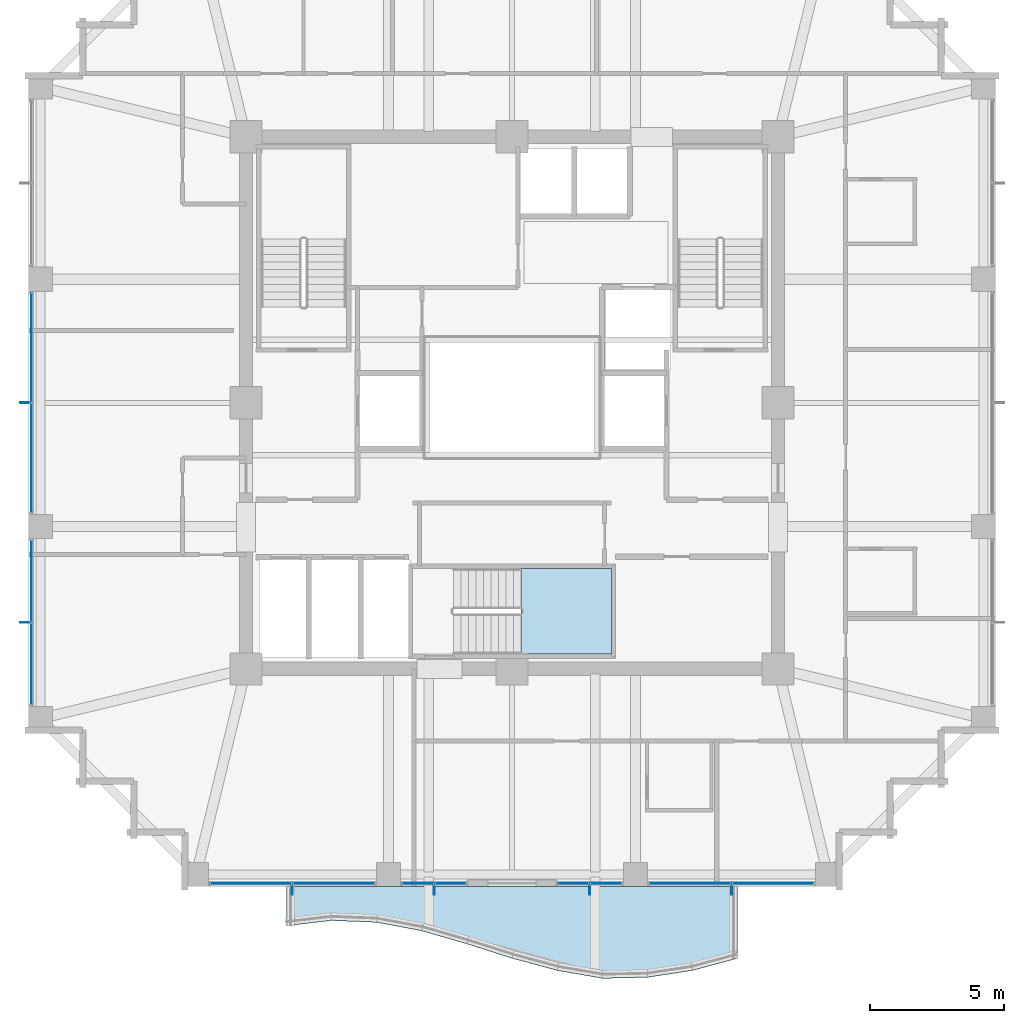
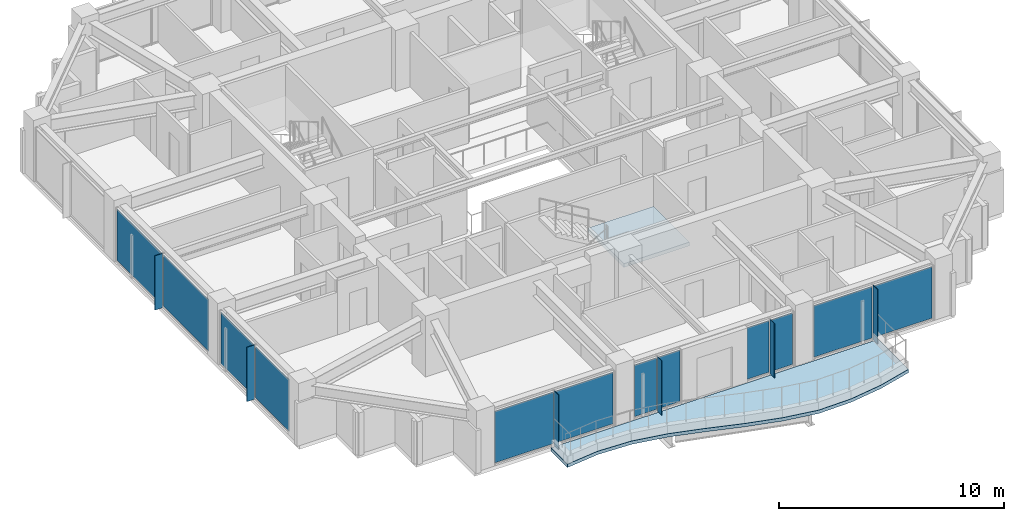
# One storey, part 22 of 31: 18 plates, 2 slabs, 7 elements without a shape of their own.
"""IFC4 building model written with IfcOpenShell, lengths in metres."""

from ifc_helpers import new_model, si_unit, direction, frame, origin, origin_2d, place, context, subcontext, project, spatial, polyline, rectangle, outline, extrude, material, layer, layer_set, type_object, element, aggregate, save


model = new_model("IFC4")

# Units and contexts
model_context = context("Model", 3, precision=1e-05, world=origin(), true_north=direction((0.0, 1.0)))
body_context = subcontext(model_context, "Body", "Model", "MODEL_VIEW")
ifc_project = project(units=[si_unit("LENGTHUNIT", "METRE"), si_unit("AREAUNIT", "SQUARE_METRE"), si_unit("VOLUMEUNIT", "CUBIC_METRE"), si_unit("PLANEANGLEUNIT", "RADIAN"), si_unit("MASSUNIT", "GRAM", prefix="KILO")], contexts=[model_context])

# Site, building, storey
site_placement = place(None, origin())
site = spatial("IfcSite", under=ifc_project, at=site_placement, CompositionType="ELEMENT")
building_placement = place(site_placement, origin())
building = spatial("IfcBuilding", under=site, at=building_placement, Name="Kolvaren Belvedere", CompositionType="ELEMENT")
storey_placement = place(building_placement, frame((0.0, 0.0, 144.800048828125)))
storey = spatial("IfcBuildingStorey", under=building, at=storey_placement, Name="L42", CompositionType="ELEMENT", Elevation=144.800048828125)

# Curtain wall, plates
ifc_material_1 = material(Name="Anodised pale-metal aluminium AA 6063-T6", Category="aluminium")
curtain_wall_type = type_object("IfcCurtainWallType", Name="CW-Z3-WAIST", PredefinedType="NOTDEFINED", material=ifc_material_1)
curtain_wall_1_placement = place(storey_placement, origin())
curtain_wall_1 = element("IfcCurtainWall", 1, at=curtain_wall_1_placement, inside=storey, type_object=curtain_wall_type, Name="L42 Unitised Curtain Wall FCW-L42-S1-B1", PredefinedType="NOTDEFINED")
ifc_material_2 = material(Name="Low-iron triple insulated glass", Category="glass")
ifc_layer_1 = layer(ifc_material_2, 0.028076171875)
ifc_layer_set_1 = layer_set([ifc_layer_1], Name="Low-iron triple insulated glass")
plate_type_1 = type_object("IfcPlateType", Name="CW-PNL-VIS28", PredefinedType="CURTAIN_PANEL", material=ifc_layer_set_1)
plate_1_placement = place(storey_placement, frame((9.711181640625, -17.8798828125, 0.079833984375), z_axis=(0.0, 0.0, 1.0), x_axis=(-1.0, 0.0, 0.0)))
plate_1 = element("IfcPlate", 2, at=plate_1_placement, type_object=plate_type_1, Name="FCW-L42-S1-B1 Vision Glazing Panel 1", PredefinedType="CURTAIN_PANEL", context=body_context, shape_type="SweptSolid", body=[
    extrude(rectangle(XDim=2.992431640625, YDim=0.028076171875, at=origin_2d()), origin(), (0.0, 0.0, 1.0), 2.7900390625),
])
plate_2_placement = place(storey_placement, frame((6.638671875, -17.8798828125, 0.079833984375), z_axis=(0.0, 0.0, 1.0), x_axis=(-1.0, 0.0, 0.0)))
plate_2 = element("IfcPlate", 3, at=plate_2_placement, type_object=plate_type_1, Name="FCW-L42-S1-B1 Vision Glazing Panel 2", PredefinedType="CURTAIN_PANEL", context=body_context, shape_type="SweptSolid", body=[
    extrude(rectangle(XDim=2.992431640625, YDim=0.028076171875, at=origin_2d()), origin(), (0.0, 0.0, 1.0), 2.7900390625),
])
aggregate(curtain_wall_1, [plate_1, plate_2])

curtain_wall_2_placement = place(storey_placement, origin())
curtain_wall_2 = element("IfcCurtainWall", 4, at=curtain_wall_2_placement, inside=storey, type_object=curtain_wall_type, Name="L42 Unitised Curtain Wall FCW-L42-S1-B2", PredefinedType="NOTDEFINED")
plate_3_placement = place(storey_placement, frame((3.4931640625, -17.8798828125, 0.079833984375), z_axis=(0.0, 0.0, 1.0), x_axis=(-1.0, 0.0, 0.0)))
plate_3 = element("IfcPlate", 5, at=plate_3_placement, type_object=plate_type_1, Name="FCW-L42-S1-B2 Vision Glazing Panel 1", PredefinedType="CURTAIN_PANEL", context=body_context, shape_type="SweptSolid", body=[
    extrude(rectangle(XDim=1.12890625, YDim=0.028076171875, at=origin_2d()), origin(), (0.0, 0.0, 1.0), 2.7900390625),
])
plate_4_placement = place(storey_placement, frame((2.284423828125, -17.8798828125, 0.079833984375), z_axis=(0.0, 0.0, 1.0), x_axis=(-1.0, 0.0, 0.0)))
plate_4 = element("IfcPlate", 6, at=plate_4_placement, type_object=plate_type_1, Name="FCW-L42-S1-B2 Vision Glazing Panel 2", PredefinedType="CURTAIN_PANEL", context=body_context, shape_type="SweptSolid", body=[
    extrude(rectangle(XDim=1.12890625, YDim=0.028076171875, at=origin_2d()), origin(), (0.0, 0.0, 1.0), 2.7900390625),
])
aggregate(curtain_wall_2, [plate_3, plate_4])

curtain_wall_3_placement = place(storey_placement, origin())
curtain_wall_3 = element("IfcCurtainWall", 7, at=curtain_wall_3_placement, inside=storey, type_object=curtain_wall_type, Name="L42 Unitised Curtain Wall FCW-L42-S2-B1", PredefinedType="NOTDEFINED")
plate_5_placement = place(storey_placement, frame((-2.284423828125, -17.8798828125, 0.079833984375), z_axis=(0.0, 0.0, 1.0), x_axis=(-1.0, 0.0, 0.0)))
plate_5 = element("IfcPlate", 8, at=plate_5_placement, type_object=plate_type_1, Name="FCW-L42-S2-B1 Vision Glazing Panel 1", PredefinedType="CURTAIN_PANEL", context=body_context, shape_type="SweptSolid", body=[
    extrude(rectangle(XDim=1.12890625, YDim=0.028076171875, at=origin_2d()), origin(), (0.0, 0.0, 1.0), 2.7900390625),
])
plate_6_placement = place(storey_placement, frame((-3.4931640625, -17.8798828125, 0.079833984375), z_axis=(0.0, 0.0, 1.0), x_axis=(-1.0, 0.0, 0.0)))
plate_6 = element("IfcPlate", 9, at=plate_6_placement, type_object=plate_type_1, Name="FCW-L42-S2-B1 Vision Glazing Panel 2", PredefinedType="CURTAIN_PANEL", context=body_context, shape_type="SweptSolid", body=[
    extrude(rectangle(XDim=1.12890625, YDim=0.028076171875, at=origin_2d()), origin(), (0.0, 0.0, 1.0), 2.7900390625),
])
aggregate(curtain_wall_3, [plate_5, plate_6])

curtain_wall_4_placement = place(storey_placement, origin())
curtain_wall_4 = element("IfcCurtainWall", 10, at=curtain_wall_4_placement, inside=storey, type_object=curtain_wall_type, Name="L42 Unitised Curtain Wall FCW-L42-S2-B2", PredefinedType="NOTDEFINED")
plate_7_placement = place(storey_placement, frame((-6.638671875, -17.8798828125, 0.079833984375), z_axis=(0.0, 0.0, 1.0), x_axis=(-1.0, 0.0, 0.0)))
plate_7 = element("IfcPlate", 11, at=plate_7_placement, type_object=plate_type_1, Name="FCW-L42-S2-B2 Vision Glazing Panel 1", PredefinedType="CURTAIN_PANEL", context=body_context, shape_type="SweptSolid", body=[
    extrude(rectangle(XDim=2.992431640625, YDim=0.028076171875, at=origin_2d()), origin(), (0.0, 0.0, 1.0), 2.7900390625),
])
plate_8_placement = place(storey_placement, frame((-9.711181640625, -17.8798828125, 0.079833984375), z_axis=(0.0, 0.0, 1.0), x_axis=(-1.0, 0.0, 0.0)))
plate_8 = element("IfcPlate", 12, at=plate_8_placement, type_object=plate_type_1, Name="FCW-L42-S2-B2 Vision Glazing Panel 2", PredefinedType="CURTAIN_PANEL", context=body_context, shape_type="SweptSolid", body=[
    extrude(rectangle(XDim=2.992431640625, YDim=0.028076171875, at=origin_2d()), origin(), (0.0, 0.0, 1.0), 2.7900390625),
])
aggregate(curtain_wall_4, [plate_7, plate_8])

curtain_wall_5_placement = place(storey_placement, origin())
curtain_wall_5 = element("IfcCurtainWall", 13, at=curtain_wall_5_placement, inside=storey, type_object=curtain_wall_type, Name="L42 Unitised Curtain Wall FCW-L42-W-B1", PredefinedType="NOTDEFINED")
plate_9_placement = place(storey_placement, frame((-17.8798828125, -9.711181640625, 0.079833984375), z_axis=(0.0, 0.0, 1.0), x_axis=(0.0, 1.0, 0.0)))
plate_9 = element("IfcPlate", 14, at=plate_9_placement, type_object=plate_type_1, Name="FCW-L42-W-B1 Vision Glazing Panel 1", PredefinedType="CURTAIN_PANEL", context=body_context, shape_type="SweptSolid", body=[
    extrude(rectangle(XDim=2.992431640625, YDim=0.028076171875, at=origin_2d()), origin(), (0.0, 0.0, 1.0), 2.7900390625),
])
plate_10_placement = place(storey_placement, frame((-17.8798828125, -6.638671875, 0.079833984375), z_axis=(0.0, 0.0, 1.0), x_axis=(0.0, 1.0, 0.0)))
plate_10 = element("IfcPlate", 15, at=plate_10_placement, type_object=plate_type_1, Name="FCW-L42-W-B1 Vision Glazing Panel 2", PredefinedType="CURTAIN_PANEL", context=body_context, shape_type="SweptSolid", body=[
    extrude(rectangle(XDim=2.992431640625, YDim=0.028076171875, at=origin_2d()), origin(), (0.0, 0.0, 1.0), 2.7900390625),
])
aggregate(curtain_wall_5, [plate_9, plate_10])

curtain_wall_6_placement = place(storey_placement, origin())
curtain_wall_6 = element("IfcCurtainWall", 16, at=curtain_wall_6_placement, inside=storey, type_object=curtain_wall_type, Name="L42 Unitised Curtain Wall FCW-L42-W-B2", PredefinedType="NOTDEFINED")
plate_11_placement = place(storey_placement, frame((-17.8798828125, -2.048828125, 0.079833984375), z_axis=(0.0, 0.0, 1.0), x_axis=(0.0, 1.0, 0.0)))
plate_11 = element("IfcPlate", 17, at=plate_11_placement, type_object=plate_type_1, Name="FCW-L42-W-B2 Vision Glazing Panel 1", PredefinedType="CURTAIN_PANEL", context=body_context, shape_type="SweptSolid", body=[
    extrude(rectangle(XDim=4.017578125, YDim=0.028076171875, at=origin_2d()), origin(), (0.0, 0.0, 1.0), 2.7900390625),
])
plate_12_placement = place(storey_placement, frame((-17.8798828125, 2.048828125, 0.079833984375), z_axis=(0.0, 0.0, 1.0), x_axis=(0.0, 1.0, 0.0)))
plate_12 = element("IfcPlate", 18, at=plate_12_placement, type_object=plate_type_1, Name="FCW-L42-W-B2 Vision Glazing Panel 2", PredefinedType="CURTAIN_PANEL", context=body_context, shape_type="SweptSolid", body=[
    extrude(rectangle(XDim=4.017578125, YDim=0.028076171875, at=origin_2d()), origin(), (0.0, 0.0, 1.0), 2.7900390625),
])
aggregate(curtain_wall_6, [plate_11, plate_12])

# Plates
ifc_material_3 = material(Name="Anodised pale-metal aluminium AA 6063-T6", Category="aluminium")
ifc_layer_2 = layer(ifc_material_3, 0.033935546875)
ifc_layer_set_2 = layer_set([ifc_layer_2], Name="Anodised pale-metal aluminium AA 6063-T6")
plate_type_2 = type_object("IfcPlateType", Name="FIN-VERT-380", PredefinedType="USERDEFINED", material=ifc_layer_set_2)
for number, where, z_axis, x_axis, name in (
    (19, (8.175048828125, -18.1201171875, 0.0), (0.0, 0.0, 1.0), (0.0, 1.0, 0.0), "L42 Pale-Metal Vertical Shading Fin FCW-L42-S1-B1-1"),
    (20, (2.888671875, -18.1201171875, 0.0), (0.0, 0.0, 1.0), (0.0, 1.0, 0.0), "L42 Pale-Metal Vertical Shading Fin FCW-L42-S1-B2-1"),
    (21, (-2.888671875, -18.1201171875, 0.0), (0.0, 0.0, 1.0), (0.0, 1.0, 0.0), "L42 Pale-Metal Vertical Shading Fin FCW-L42-S2-B1-1"),
    (22, (-8.175048828125, -18.1201171875, 0.0), (0.0, 0.0, 1.0), (0.0, 1.0, 0.0), "L42 Pale-Metal Vertical Shading Fin FCW-L42-S2-B2-1"),
    (23, (-18.1201171875, -8.175048828125, 0.0), (0.0, 0.0, 1.0), (1.0, 0.0, 0.0), "L42 Pale-Metal Vertical Shading Fin FCW-L42-W-B1-1"),
    (24, (-18.1201171875, 0.0, 0.0), (0.0, 0.0, 1.0), (1.0, 0.0, 0.0), "L42 Pale-Metal Vertical Shading Fin FCW-L42-W-B2-1"),
):
    element("IfcPlate", number, at=place(storey_placement, frame(where, z_axis=z_axis, x_axis=x_axis)), inside=storey, type_object=plate_type_2, Name=name, ObjectType="VERTICAL FIN", PredefinedType="USERDEFINED", context=body_context, shape_type="SweptSolid", body=[
        extrude(rectangle(XDim=0.3798828125, YDim=0.033935546875, at=origin_2d()), origin(), (0.0, 0.0, 1.0), 2.949951171875),
    ])

# Slab
ifc_material_4 = material(Name="Concrete C50/60", Category="concrete")
ifc_layer_3 = layer(ifc_material_4, 0.179931640625)
ifc_layer_set_3 = layer_set([ifc_layer_3], Name="Concrete C50/60")
slab_type_1 = type_object("IfcSlabType", Name="SL-BAL-180", PredefinedType="FLOOR", material=ifc_layer_set_3)
slab_1_placement = place(storey_placement, frame((0.0, 0.0, -0.199951171875)))
element("IfcSlab", 25, at=slab_1_placement, inside=storey, type_object=slab_type_1, Name="L42 Planted Balcony BAL-S", PredefinedType="FLOOR", context=body_context, shape_type="SweptSolid", body=[
    extrude(outline(polyline([(-8.39990234375, -19.46630859375), (-6.719970703125, -19.2685546875), (-5.0400390625, -19.335693359375), (-3.360107421875, -19.651611328125), (-1.679931640625, -20.1376953125), (0.0, -20.673583984375), (1.679931640625, -21.127197265625), (3.360107421875, -21.419921875), (5.0400390625, -21.385986328125), (6.719970703125, -21.127197265625), (8.39990234375, -20.673583984375), (8.39990234375, -18.0), (6.719970703125, -18.0), (5.0400390625, -18.0), (3.360107421875, -18.0), (1.679931640625, -18.0), (0.0, -18.0), (-1.679931640625, -18.0), (-3.360107421875, -18.0), (-5.0400390625, -18.0), (-6.719970703125, -18.0), (-8.39990234375, -18.0), (-8.39990234375, -19.46630859375)])), origin(), (0.0, 0.0, 1.0), 0.179931640625),
])

# Stair, slab
ifc_material_5 = material(Name="Concrete C50/60", Category="concrete")
stair_type = type_object("IfcStairType", Name="ST-CORE-1520", PredefinedType="HALF_TURN_STAIR", material=ifc_material_5)
stair_placement = place(storey_placement, origin())
stair = element("IfcStair", 26, at=stair_placement, inside=storey, type_object=stair_type, Name="L42 Protected Exit Stair ST-3", PredefinedType="HALF_TURN_STAIR")
ifc_material_6 = material(Name="Concrete C50/60", Category="concrete")
ifc_layer_4 = layer(ifc_material_6, 0.260009765625)
ifc_layer_set_4 = layer_set([ifc_layer_4], Name="Concrete C50/60")
slab_type_2 = type_object("IfcSlabType", Name="SL-LAND-260", PredefinedType="LANDING", material=ifc_layer_set_4)
slab_2_placement = place(storey_placement, frame((0.0, 0.0, 1.449951171875)))
slab_2 = element("IfcSlab", 27, at=slab_2_placement, type_object=slab_type_2, Name="ST-3 landing 1", PredefinedType="LANDING", context=body_context, shape_type="SweptSolid", body=[
    extrude(outline(polyline([(0.340087890625, -9.35009765625), (3.699951171875, -9.35009765625), (3.699951171875, -6.159912109375), (0.340087890625, -6.159912109375), (0.340087890625, -9.35009765625)])), origin(), (0.0, 0.0, 1.0), 0.199951171875),
])
aggregate(stair, [slab_2])

save(model, "model.ifc")
